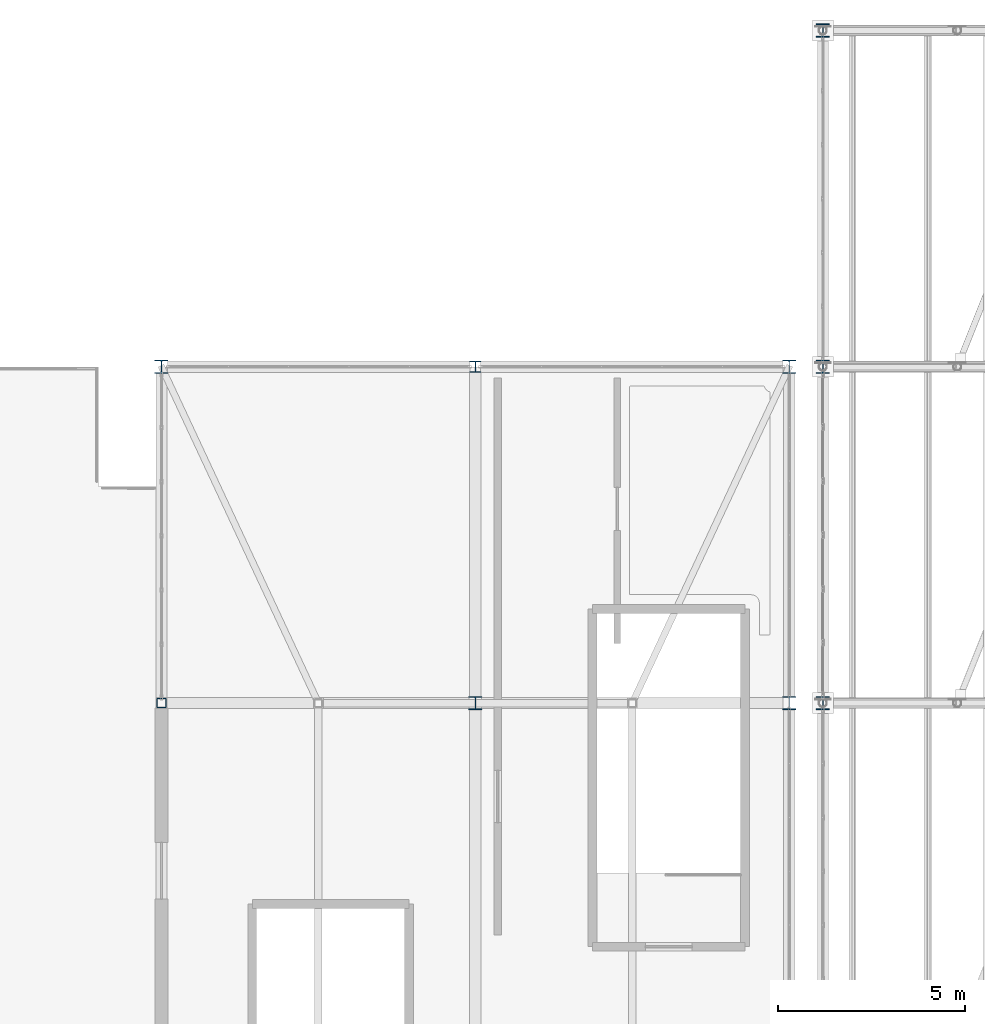
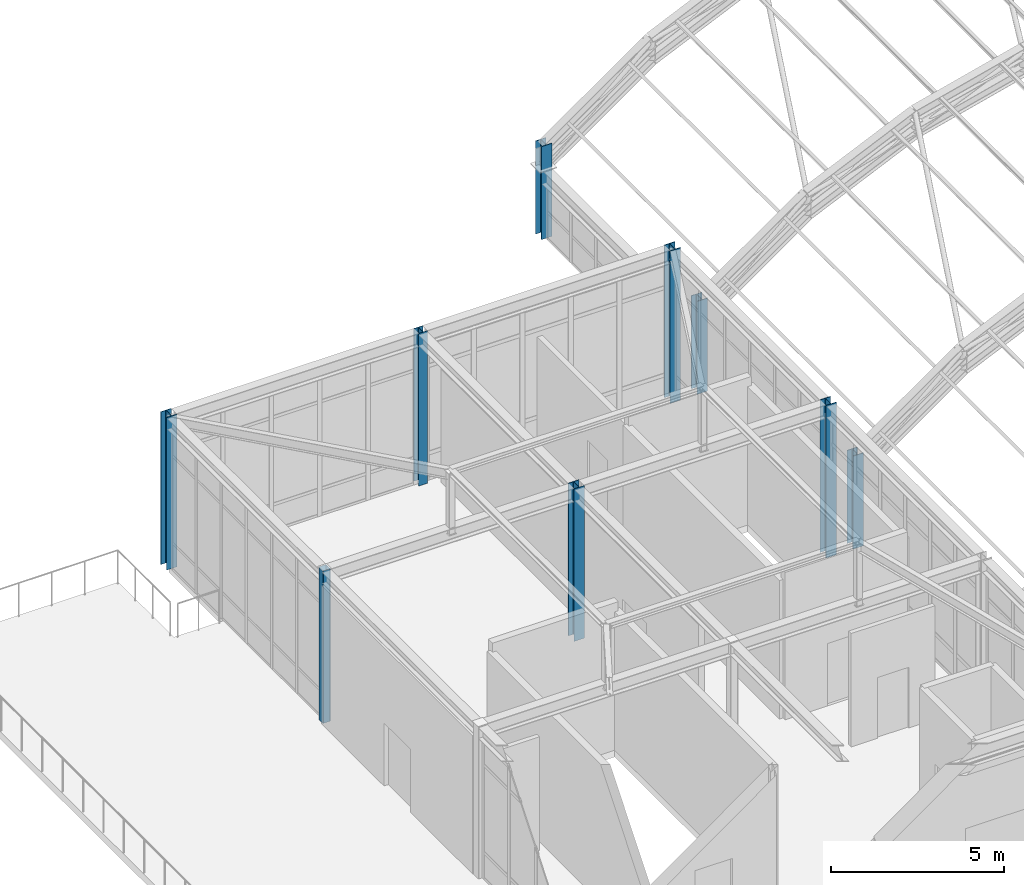
# One storey, part 5 of 121: 9 columns.
"""IFC4 building model written with IfcOpenShell, lengths in metres."""

from ifc_helpers import new_model, si_unit, direction, frame, origin, origin_2d, place, context, subcontext, project, spatial, hollow_rectangle, i_section, extrude, material, material_profile, profile_set, type_object, element, save


model = new_model("IFC4")

# Units and contexts
model_context = context("Model", 3, precision=1e-05, world=origin(), true_north=direction((0.0, 1.0)))
body_context = subcontext(model_context, "Body", "Model", "MODEL_VIEW")
ifc_project = project(units=[si_unit("LENGTHUNIT", "METRE"), si_unit("AREAUNIT", "SQUARE_METRE"), si_unit("VOLUMEUNIT", "CUBIC_METRE"), si_unit("PLANEANGLEUNIT", "RADIAN"), si_unit("MASSUNIT", "GRAM", prefix="KILO")], contexts=[model_context])

# Site, building, storey
site_placement = place(None, origin())
site = spatial("IfcSite", under=ifc_project, at=site_placement, CompositionType="ELEMENT")
building_placement = place(site_placement, origin())
building = spatial("IfcBuilding", under=site, at=building_placement, Name="Canglan Escarpment Cableway Terminal", CompositionType="ELEMENT")
storey_placement = place(building_placement, frame((0.0, 0.0, 24.60009765625)))
storey = spatial("IfcBuildingStorey", under=building, at=storey_placement, Name="L05", CompositionType="ELEMENT", Elevation=24.60009765625)

# Columns
ifc_material_1 = material(Name="Steel Q355B", Category="steel")
ifc_material_profile_1 = material_profile(ifc_material_1, i_section(OverallWidth=0.300048828125, OverallDepth=0.300048828125, WebThickness=0.010009765625, FlangeThickness=0.014892578125, FilletRadius=0.01806640625, at=origin_2d()), Name="HW 300x300x10x15")
ifc_profile_set_1 = profile_set([ifc_material_profile_1], Name="Steel Q355B")
column_type_1 = type_object("IfcColumnType", Name="COL-HW300-Q355B", PredefinedType="COLUMN", material=ifc_profile_set_1)
column_1_placement = place(storey_placement, frame((128.300048828125, 115.0, 0.0), z_axis=(0.0, 0.0, 1.0), x_axis=(1.0, 0.0, 0.0)))
element("IfcColumn", 1, at=column_1_placement, inside=storey, type_object=column_type_1, Name="Structural column C-10", PredefinedType="COLUMN", context=body_context, shape_type="SweptSolid", body=[
    extrude(i_section(OverallWidth=0.300048828125, OverallDepth=0.300048828125, WebThickness=0.010009765625, FlangeThickness=0.014892578125, FilletRadius=0.01806640625, at=origin_2d()), origin(), (0.0, 0.0, 1.0), 5.3798828125),
])
ifc_material_2 = material(Name="Steel Q355C", Category="steel")
ifc_material_profile_2 = material_profile(ifc_material_2, i_section(OverallWidth=0.35009765625, OverallDepth=0.35009765625, WebThickness=0.011962890625, FlangeThickness=0.01904296875, FilletRadius=0.02001953125, at=origin_2d()), Name="HW 350x350x12x19")
ifc_profile_set_2 = profile_set([ifc_material_profile_2], Name="Steel Q355C")
column_type_2 = type_object("IfcColumnType", Name="COL-HW350-Q355C", PredefinedType="COLUMN", material=ifc_profile_set_2)
for number, where, z_axis, x_axis, name in (
    (2, (119.89990234375, 115.0, 0.0), (0.0, 0.0, 1.0), (1.0, 0.0, 0.0), "Structural column C-09"),
    (3, (128.300048828125, 106.0, 0.0), (0.0, 0.0, 1.0), (1.0, 0.0, 0.0), "Structural column C-09"),
    (4, (136.699951171875, 106.0, 0.0), (0.0, 0.0, 1.0), (1.0, 0.0, 0.0), "Structural column C-09"),
    (5, (136.699951171875, 115.0, 0.0), (0.0, 0.0, 1.0), (1.0, 0.0, 0.0), "Structural column C-09"),
):
    element("IfcColumn", number, at=place(storey_placement, frame(where, z_axis=z_axis, x_axis=x_axis)), inside=storey, type_object=column_type_2, Name=name, PredefinedType="COLUMN", context=body_context, shape_type="SweptSolid", body=[
        extrude(i_section(OverallWidth=0.35009765625, OverallDepth=0.35009765625, WebThickness=0.011962890625, FlangeThickness=0.01904296875, FilletRadius=0.02001953125, at=origin_2d()), origin(), (0.0, 0.0, 1.0), 5.3798828125),
    ])
for number, where, z_axis, x_axis, name in (
    (6, (137.60009765625, 106.0, 0.0), (0.0, 0.0, 1.0), (1.0, 0.0, 0.0), "Structural column C-09"),
    (7, (137.60009765625, 115.0, 0.0), (0.0, 0.0, 1.0), (1.0, 0.0, 0.0), "Structural column C-09"),
    (8, (137.60009765625, 124.0, 0.0), (0.0, 0.0, 1.0), (1.0, 0.0, 0.0), "Structural column C-09"),
):
    element("IfcColumn", number, at=place(storey_placement, frame(where, z_axis=z_axis, x_axis=x_axis)), inside=storey, type_object=column_type_2, Name=name, PredefinedType="COLUMN", context=body_context, shape_type="SweptSolid", body=[
        extrude(i_section(OverallWidth=0.35009765625, OverallDepth=0.35009765625, WebThickness=0.011962890625, FlangeThickness=0.01904296875, FilletRadius=0.02001953125, at=origin_2d()), origin(), (0.0, 0.0, 1.0), 3.282470703125),
    ])
ifc_material_profile_3 = material_profile(ifc_material_1, hollow_rectangle(XDim=0.25, YDim=0.25, WallThickness=0.010009765625, InnerFilletRadius=0.010009765625, OuterFilletRadius=0.02001953125, at=origin_2d()), Name="SHS 250x250x10")
ifc_profile_set_3 = profile_set([ifc_material_profile_3], Name="Steel Q355B")
column_type_3 = type_object("IfcColumnType", Name="COL-SHS250-Q355B", PredefinedType="COLUMN", material=ifc_profile_set_3)
column_2_placement = place(storey_placement, frame((119.89990234375, 106.0, 0.0), z_axis=(0.0, 0.0, 1.0), x_axis=(1.0, 0.0, 0.0)))
element("IfcColumn", 9, at=column_2_placement, inside=storey, type_object=column_type_3, Name="Structural column C-15", PredefinedType="COLUMN", context=body_context, shape_type="SweptSolid", body=[
    extrude(hollow_rectangle(XDim=0.25, YDim=0.25, WallThickness=0.010009765625, InnerFilletRadius=0.010009765625, OuterFilletRadius=0.02001953125, at=origin_2d()), origin(), (0.0, 0.0, 1.0), 5.3798828125),
])

save(model, "model.ifc")
